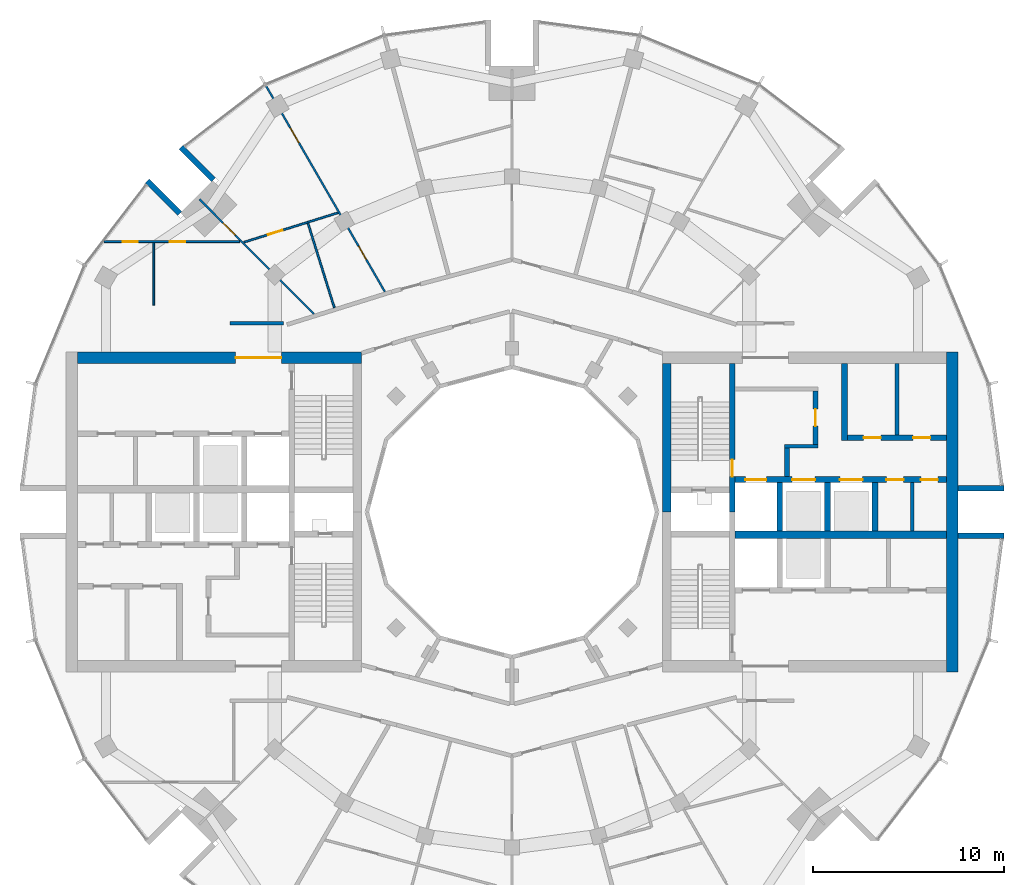
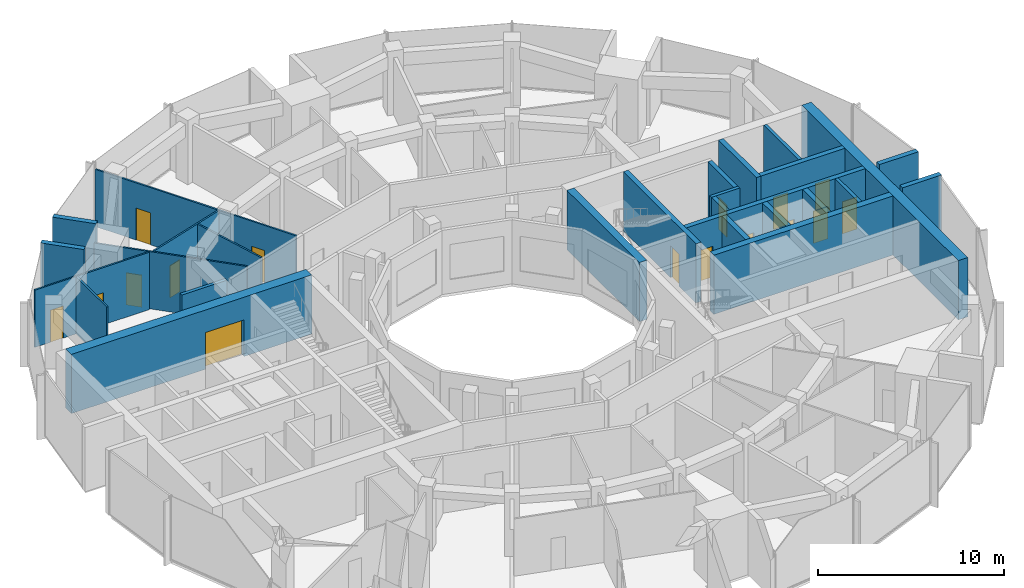
# One storey, part 11 of 15: 27 walls, 16 doors, 16 openings.
"""IFC4 building model written with IfcOpenShell, lengths in metres."""

from ifc_helpers import new_model, si_unit, direction, frame, frame_2d, origin, place, context, subcontext, project, spatial, rectangle, extrude, material, layer, layer_set, type_object, element, fill, save


model = new_model("IFC4")

# Units and contexts
model_context = context("Model", 3, precision=1e-05, world=origin(), true_north=direction((0.0, 1.0)))
body_context = subcontext(model_context, "Body", "Model", "MODEL_VIEW")
ifc_project = project(units=[si_unit("LENGTHUNIT", "METRE"), si_unit("AREAUNIT", "SQUARE_METRE"), si_unit("VOLUMEUNIT", "CUBIC_METRE"), si_unit("PLANEANGLEUNIT", "RADIAN"), si_unit("MASSUNIT", "GRAM", prefix="KILO")], contexts=[model_context])

# Site, building, storey
site_placement = place(None, origin())
site = spatial("IfcSite", under=ifc_project, at=site_placement, CompositionType="ELEMENT")
building_placement = place(site_placement, origin())
building = spatial("IfcBuilding", under=site, at=building_placement, Name="Torre Brocal", CompositionType="ELEMENT")
storey_placement = place(building_placement, frame((0.0, 0.0, 237.300048828125)))
storey = spatial("IfcBuildingStorey", under=building, at=storey_placement, Name="L54", CompositionType="ELEMENT", Elevation=237.300048828125)

# Walls
ifc_material_1 = material(Name="Masonry block", Category="masonry")
ifc_layer_1 = layer(ifc_material_1, 0.199951171875)
ifc_layer_set_1 = layer_set([ifc_layer_1], Name="Masonry block")
wall_type_1 = type_object("IfcWallType", Name="CORE PARTITION 200", PredefinedType="PARTITIONING", material=ifc_layer_set_1)
wall_1_placement = place(storey_placement, frame((101.0, 74.0, 0.0), z_axis=(0.0, 0.0, 1.0), x_axis=(0.0, 1.0, 0.0)))
element("IfcWall", 1, at=wall_1_placement, inside=storey, type_object=wall_type_1, Name="Wall CP200", PredefinedType="PARTITIONING", context=body_context, shape_type="SweptSolid", body=[
    extrude(rectangle(XDim=2.550048828125, YDim=0.199951171875, at=frame_2d((1.27490234375, 0.0))), origin(), (0.0, 0.0, 1.0), 3.8798828125),
])
wall_2_placement = place(storey_placement, frame((100.199951171875, 79.050048828125, 0.0), z_axis=(0.0, 0.0, 1.0), x_axis=(0.0, 1.0, 0.0)))
element("IfcWall", 2, at=wall_2_placement, inside=storey, type_object=wall_type_1, Name="Wall CP200", PredefinedType="PARTITIONING", context=body_context, shape_type="SweptSolid", body=[
    extrude(rectangle(XDim=3.75, YDim=0.199951171875, at=frame_2d((1.875, 0.0))), origin(), (0.0, 0.0, 1.0), 3.8798828125),
])
ifc_material_2 = material(Name="Concrete C60", Category="concrete")
ifc_layer_2 = layer(ifc_material_2, 0.199951171875)
ifc_layer_set_2 = layer_set([ifc_layer_2], Name="Concrete C60")
wall_type_2 = type_object("IfcWallType", Name="CORE WALL 200 C60", PredefinedType="SHEAR", material=ifc_layer_set_2)
wall_3_placement = place(storey_placement, frame((94.300048828125, 78.449951171875, 0.0), z_axis=(0.0, 0.0, 1.0), x_axis=(1.0, 0.0, 0.0)))
element("IfcWall", 3, at=wall_3_placement, inside=storey, type_object=wall_type_2, Name="Wall CW200-60", PredefinedType="SHEAR", context=body_context, shape_type="SweptSolid", body=[
    extrude(rectangle(XDim=1.75, YDim=0.199951171875, at=frame_2d((0.875, 0.0))), origin(), (0.0, 0.0, 1.0), 3.8798828125),
])

# Wall, opening, door
ifc_material_3 = material(Name="Concrete C60", Category="concrete")
ifc_layer_3 = layer(ifc_material_3, 0.25)
ifc_layer_set_3 = layer_set([ifc_layer_3], Name="Concrete C60")
wall_type_3 = type_object("IfcWallType", Name="CORE WALL 250 C60", PredefinedType="SHEAR", material=ifc_layer_set_3)
wall_4_placement = place(storey_placement, frame((95.925048828125, 78.550048828125, 0.0), z_axis=(0.0, 0.0, 1.0), x_axis=(0.0, 1.0, 0.0)))
wall_4 = element("IfcWall", 4, at=wall_4_placement, inside=storey, type_object=wall_type_3, Name="Wall CW250-60", PredefinedType="SHEAR", context=body_context, shape_type="SweptSolid", body=[
    extrude(rectangle(XDim=2.800048828125, YDim=0.25, at=frame_2d((1.39990234375, 0.0))), origin(), (0.0, 0.0, 1.0), 3.8798828125),
])
opening_1_placement = place(wall_4_placement, frame((0.949951171875, 0.0, 0.0)))
opening_1 = element("IfcOpeningElement", 5, at=opening_1_placement, cuts=wall_4, Name="Opening E-D08", PredefinedType="OPENING", context=body_context, shape_type="SweptSolid", body=[
    extrude(rectangle(XDim=0.89990234375, YDim=2.10009765625, at=frame_2d((0.449951171875, 1.050048828125))), frame((0.0, 0.135009765625, 0.0), z_axis=(0.0, -1.0, 0.0), x_axis=(1.0, 0.0, 0.0)), (0.0, 0.0, 1.0), 0.27001953125),
])
ifc_material_4 = material(Name="Steel A653", Category="steel")
door_type_1 = type_object("IfcDoorType", Name="LOBBY DOOR FD120 900X2100", OperationType="SINGLE_SWING_RIGHT", PredefinedType="DOOR", material=ifc_material_4)
door_1_placement = place(opening_1_placement, origin())
door_1 = element("IfcDoor", 6, at=door_1_placement, inside=storey, type_object=door_type_1, Name="Door E-D08", OperationType="SINGLE_SWING_LEFT", OverallHeight=2.10009765625, OverallWidth=0.89990234375, PredefinedType="DOOR", context=body_context, shape_type="SweptSolid", body=[
    extrude(rectangle(XDim=0.89990234375, YDim=2.10009765625, at=frame_2d((0.449951171875, 1.050048828125))), frame((0.0, 0.02490234375, 0.0), z_axis=(0.0, -1.0, 0.0), x_axis=(1.0, 0.0, 0.0)), (0.0, 0.0, 1.0), 0.050048828125),
])
fill(opening_1, door_1)

# Wall
wall_5_placement = place(storey_placement, frame((94.425048828125, 76.85009765625, 0.0), z_axis=(0.0, 0.0, 1.0), x_axis=(0.0, 1.0, 0.0)))
element("IfcWall", 7, at=wall_5_placement, inside=storey, type_object=wall_type_3, Name="Wall CW250-60", PredefinedType="SHEAR", context=body_context, shape_type="SweptSolid", body=[
    extrude(rectangle(XDim=1.5, YDim=0.25, at=frame_2d((0.75, 0.0))), origin(), (0.0, 0.0, 1.0), 3.8798828125),
])

# Wall, opening, door
ifc_material_5 = material(Name="Concrete C60", Category="concrete")
ifc_layer_4 = layer(ifc_material_5, 0.300048828125)
ifc_layer_set_4 = layer_set([ifc_layer_4], Name="Concrete C60")
wall_type_4 = type_object("IfcWallType", Name="CORE WALL 300 C60", PredefinedType="SHEAR", material=ifc_layer_set_4)
wall_6_placement = place(storey_placement, frame((91.550048828125, 75.0, 0.0), z_axis=(0.0, 0.0, 1.0), x_axis=(0.0, 1.0, 0.0)))
wall_6 = element("IfcWall", 8, at=wall_6_placement, inside=storey, type_object=wall_type_4, Name="Wall CW300-60", PredefinedType="SHEAR", context=body_context, shape_type="SweptSolid", body=[
    extrude(rectangle(XDim=7.800048828125, YDim=0.300048828125, at=frame_2d((3.89990234375, 0.0))), origin(), (0.0, 0.0, 1.0), 3.8798828125),
])
opening_2_placement = place(wall_6_placement, frame((1.85009765625, 0.0, 0.0)))
opening_2 = element("IfcOpeningElement", 9, at=opening_2_placement, cuts=wall_6, Name="Opening E-D02", PredefinedType="OPENING", context=body_context, shape_type="SweptSolid", body=[
    extrude(rectangle(XDim=0.89990234375, YDim=2.10009765625, at=frame_2d((0.449951171875, 1.050048828125))), frame((0.0, 0.159912109375, 0.0), z_axis=(0.0, -1.0, 0.0), x_axis=(1.0, 0.0, 0.0)), (0.0, 0.0, 1.0), 0.320068359375),
])
ifc_material_6 = material(Name="Steel A653", Category="steel")
door_type_2 = type_object("IfcDoorType", Name="STAIR DOOR FD120 900X2100", OperationType="SINGLE_SWING_RIGHT", PredefinedType="DOOR", material=ifc_material_6)
door_2_placement = place(opening_2_placement, origin())
door_2 = element("IfcDoor", 10, at=door_2_placement, inside=storey, type_object=door_type_2, Name="Door E-D02", OperationType="SINGLE_SWING_LEFT", OverallHeight=2.10009765625, OverallWidth=0.89990234375, PredefinedType="DOOR", context=body_context, shape_type="SweptSolid", body=[
    extrude(rectangle(XDim=0.89990234375, YDim=2.10009765625, at=frame_2d((0.449951171875, 1.050048828125))), frame((0.0, 0.02490234375, 0.0), z_axis=(0.0, -1.0, 0.0), x_axis=(1.0, 0.0, 0.0)), (0.0, 0.0, 1.0), 0.050048828125),
])
fill(opening_2, door_2)

# Wall, openings, doors
wall_7_placement = place(storey_placement, frame((91.699951171875, 76.699951171875, 0.0), z_axis=(0.0, 0.0, 1.0), x_axis=(1.0, 0.0, 0.0)))
wall_7 = element("IfcWall", 11, at=wall_7_placement, inside=storey, type_object=wall_type_4, Name="Wall CW300-60", PredefinedType="SHEAR", context=body_context, shape_type="SweptSolid", body=[
    extrude(rectangle(XDim=11.10009765625, YDim=0.300048828125, at=frame_2d((5.550048828125, 0.0))), origin(), (0.0, 0.0, 1.0), 3.8798828125),
])
opening_3_placement = place(wall_7_placement, frame((0.550048828125, 0.0, 0.0)))
opening_3 = element("IfcOpeningElement", 12, at=opening_3_placement, cuts=wall_7, Name="Opening LD", PredefinedType="OPENING", context=body_context, shape_type="SweptSolid", body=[
    extrude(rectangle(XDim=1.10009765625, YDim=2.10009765625, at=frame_2d((0.550048828125, 1.050048828125))), frame((0.0, 0.159912109375, 0.0), z_axis=(0.0, -1.0, 0.0), x_axis=(1.0, 0.0, 0.0)), (0.0, 0.0, 1.0), 0.320068359375),
])
opening_4_placement = place(wall_7_placement, frame((3.0, 0.0, 0.0)))
opening_4 = element("IfcOpeningElement", 13, at=opening_4_placement, cuts=wall_7, Name="Opening LD12", PredefinedType="OPENING", context=body_context, shape_type="SweptSolid", body=[
    extrude(rectangle(XDim=1.199951171875, YDim=2.10009765625, at=frame_2d((0.60009765625, 1.050048828125))), frame((0.0, 0.159912109375, 0.0), z_axis=(0.0, -1.0, 0.0), x_axis=(1.0, 0.0, 0.0)), (0.0, 0.0, 1.0), 0.320068359375),
])
opening_5_placement = place(wall_7_placement, frame((5.5, 0.0, 0.0)))
opening_5 = element("IfcOpeningElement", 14, at=opening_5_placement, cuts=wall_7, Name="Opening LD12", PredefinedType="OPENING", context=body_context, shape_type="SweptSolid", body=[
    extrude(rectangle(XDim=1.199951171875, YDim=2.10009765625, at=frame_2d((0.60009765625, 1.050048828125))), frame((0.0, 0.159912109375, 0.0), z_axis=(0.0, -1.0, 0.0), x_axis=(1.0, 0.0, 0.0)), (0.0, 0.0, 1.0), 0.320068359375),
])
opening_6_placement = place(wall_7_placement, frame((7.949951171875, 0.0, 0.0)))
opening_6 = element("IfcOpeningElement", 15, at=opening_6_placement, cuts=wall_7, Name="Opening E-D04", PredefinedType="OPENING", context=body_context, shape_type="SweptSolid", body=[
    extrude(rectangle(XDim=0.89990234375, YDim=2.10009765625, at=frame_2d((0.449951171875, 1.050048828125))), frame((0.0, 0.159912109375, 0.0), z_axis=(0.0, -1.0, 0.0), x_axis=(1.0, 0.0, 0.0)), (0.0, 0.0, 1.0), 0.320068359375),
])
opening_7_placement = place(wall_7_placement, frame((9.75, 0.0, 0.0)))
opening_7 = element("IfcOpeningElement", 16, at=opening_7_placement, cuts=wall_7, Name="Opening E-D05", PredefinedType="OPENING", context=body_context, shape_type="SweptSolid", body=[
    extrude(rectangle(XDim=0.89990234375, YDim=2.10009765625, at=frame_2d((0.449951171875, 1.050048828125))), frame((0.0, 0.159912109375, 0.0), z_axis=(0.0, -1.0, 0.0), x_axis=(1.0, 0.0, 0.0)), (0.0, 0.0, 1.0), 0.320068359375),
])
ifc_material_7 = material(Name="Stainless steel AISI 316", Category="steel")
door_type_3 = type_object("IfcDoorType", Name="LIFT LANDING DOOR 1100X2100", OperationType="DOUBLE_DOOR_SLIDING", PredefinedType="DOOR", material=ifc_material_7)
door_3_placement = place(opening_3_placement, origin())
door_3 = element("IfcDoor", 17, at=door_3_placement, inside=storey, type_object=door_type_3, Name="Door LD", OperationType="DOUBLE_DOOR_SLIDING", OverallHeight=2.10009765625, OverallWidth=1.10009765625, PredefinedType="DOOR", context=body_context, shape_type="SweptSolid", body=[
    extrude(rectangle(XDim=1.10009765625, YDim=2.10009765625, at=frame_2d((0.550048828125, 1.050048828125))), frame((0.0, 0.02490234375, 0.0), z_axis=(0.0, -1.0, 0.0), x_axis=(1.0, 0.0, 0.0)), (0.0, 0.0, 1.0), 0.050048828125),
])
fill(opening_3, door_3)
ifc_material_8 = material(Name="Stainless steel AISI 316", Category="steel")
door_type_4 = type_object("IfcDoorType", Name="LIFT LANDING DOOR 1200X2100", OperationType="DOUBLE_DOOR_SLIDING", PredefinedType="DOOR", material=ifc_material_8)
door_4_placement = place(opening_4_placement, origin())
door_4 = element("IfcDoor", 18, at=door_4_placement, inside=storey, type_object=door_type_4, Name="Door LD12", OperationType="DOUBLE_DOOR_SLIDING", OverallHeight=2.10009765625, OverallWidth=1.199951171875, PredefinedType="DOOR", context=body_context, shape_type="SweptSolid", body=[
    extrude(rectangle(XDim=1.199951171875, YDim=2.10009765625, at=frame_2d((0.60009765625, 1.050048828125))), frame((0.0, 0.02490234375, 0.0), z_axis=(0.0, -1.0, 0.0), x_axis=(1.0, 0.0, 0.0)), (0.0, 0.0, 1.0), 0.050048828125),
])
fill(opening_4, door_4)
door_5_placement = place(opening_5_placement, origin())
door_5 = element("IfcDoor", 19, at=door_5_placement, inside=storey, type_object=door_type_4, Name="Door LD12", OperationType="DOUBLE_DOOR_SLIDING", OverallHeight=2.10009765625, OverallWidth=1.199951171875, PredefinedType="DOOR", context=body_context, shape_type="SweptSolid", body=[
    extrude(rectangle(XDim=1.199951171875, YDim=2.10009765625, at=frame_2d((0.60009765625, 1.050048828125))), frame((0.0, 0.02490234375, 0.0), z_axis=(0.0, -1.0, 0.0), x_axis=(1.0, 0.0, 0.0)), (0.0, 0.0, 1.0), 0.050048828125),
])
fill(opening_5, door_5)
ifc_material_9 = material(Name="Steel A653", Category="steel")
door_type_5 = type_object("IfcDoorType", Name="ROOM DOOR FD30S 900X2100", OperationType="SINGLE_SWING_LEFT", PredefinedType="DOOR", material=ifc_material_9)
door_6_placement = place(opening_6_placement, frame((0.89990234375, 0.0, 0.0), z_axis=(0.0, 0.0, 1.0), x_axis=(-1.0, 0.0, 0.0)))
door_6 = element("IfcDoor", 20, at=door_6_placement, inside=storey, type_object=door_type_5, Name="Door E-D04", OperationType="SINGLE_SWING_LEFT", OverallHeight=2.10009765625, OverallWidth=0.89990234375, PredefinedType="DOOR", context=body_context, shape_type="SweptSolid", body=[
    extrude(rectangle(XDim=0.89990234375, YDim=2.10009765625, at=frame_2d((0.449951171875, 1.050048828125))), frame((0.0, 0.02490234375, 0.0), z_axis=(0.0, -1.0, 0.0), x_axis=(1.0, 0.0, 0.0)), (0.0, 0.0, 1.0), 0.050048828125),
])
fill(opening_6, door_6)
door_7_placement = place(opening_7_placement, frame((0.89990234375, 0.0, 0.0), z_axis=(0.0, 0.0, 1.0), x_axis=(-1.0, 0.0, 0.0)))
door_7 = element("IfcDoor", 21, at=door_7_placement, inside=storey, type_object=door_type_5, Name="Door E-D05", OperationType="SINGLE_SWING_RIGHT", OverallHeight=2.10009765625, OverallWidth=0.89990234375, PredefinedType="DOOR", context=body_context, shape_type="SweptSolid", body=[
    extrude(rectangle(XDim=0.89990234375, YDim=2.10009765625, at=frame_2d((0.449951171875, 1.050048828125))), frame((0.0, 0.02490234375, 0.0), z_axis=(0.0, -1.0, 0.0), x_axis=(1.0, 0.0, 0.0)), (0.0, 0.0, 1.0), 0.050048828125),
])
fill(opening_7, door_7)

# Walls
for number, where, z_axis, x_axis, name in (
    (22, (94.050048828125, 74.0, 0.0), (0.0, 0.0, 1.0), (0.0, 1.0, 0.0), "Wall CW300-60"),
    (23, (96.550048828125, 74.0, 0.0), (0.0, 0.0, 1.0), (0.0, 1.0, 0.0), "Wall CW300-60"),
    (24, (99.050048828125, 74.0, 0.0), (0.0, 0.0, 1.0), (0.0, 1.0, 0.0), "Wall CW300-60"),
):
    element("IfcWall", number, at=place(storey_placement, frame(where, z_axis=z_axis, x_axis=x_axis)), inside=storey, type_object=wall_type_4, Name=name, PredefinedType="SHEAR", context=body_context, shape_type="SweptSolid", body=[
        extrude(rectangle(XDim=2.550048828125, YDim=0.300048828125, at=frame_2d((1.27490234375, 0.0))), origin(), (0.0, 0.0, 1.0), 3.8798828125),
    ])
wall_8_placement = place(storey_placement, frame((97.449951171875, 78.75, 0.0), z_axis=(0.0, 0.0, 1.0), x_axis=(0.0, 1.0, 0.0)))
element("IfcWall", 25, at=wall_8_placement, inside=storey, type_object=wall_type_4, Name="Wall CW300-60", PredefinedType="SHEAR", context=body_context, shape_type="SweptSolid", body=[
    extrude(rectangle(XDim=4.050048828125, YDim=0.300048828125, at=frame_2d((2.02490234375, 0.0))), origin(), (0.0, 0.0, 1.0), 3.8798828125),
])

# Wall, openings, doors
wall_9_placement = place(storey_placement, frame((97.60009765625, 78.89990234375, 0.0), z_axis=(0.0, 0.0, 1.0), x_axis=(1.0, 0.0, 0.0)))
wall_9 = element("IfcWall", 26, at=wall_9_placement, inside=storey, type_object=wall_type_4, Name="Wall CW300-60", PredefinedType="SHEAR", context=body_context, shape_type="SweptSolid", body=[
    extrude(rectangle(XDim=5.199951171875, YDim=0.300048828125, at=frame_2d((2.60009765625, 0.0))), origin(), (0.0, 0.0, 1.0), 3.8798828125),
])
opening_8_placement = place(wall_9_placement, frame((0.85009765625, 0.0, 0.0)))
opening_8 = element("IfcOpeningElement", 27, at=opening_8_placement, cuts=wall_9, Name="Opening E-D09", PredefinedType="OPENING", context=body_context, shape_type="SweptSolid", body=[
    extrude(rectangle(XDim=0.89990234375, YDim=2.10009765625, at=frame_2d((0.449951171875, 1.050048828125))), frame((0.0, 0.159912109375, 0.0), z_axis=(0.0, -1.0, 0.0), x_axis=(1.0, 0.0, 0.0)), (0.0, 0.0, 1.0), 0.320068359375),
])
opening_9_placement = place(wall_9_placement, frame((3.449951171875, 0.0, 0.0)))
opening_9 = element("IfcOpeningElement", 28, at=opening_9_placement, cuts=wall_9, Name="Opening E-D10", PredefinedType="OPENING", context=body_context, shape_type="SweptSolid", body=[
    extrude(rectangle(XDim=0.89990234375, YDim=2.10009765625, at=frame_2d((0.449951171875, 1.050048828125))), frame((0.0, 0.159912109375, 0.0), z_axis=(0.0, -1.0, 0.0), x_axis=(1.0, 0.0, 0.0)), (0.0, 0.0, 1.0), 0.320068359375),
])
door_8_placement = place(opening_8_placement, origin())
door_8 = element("IfcDoor", 29, at=door_8_placement, inside=storey, type_object=door_type_5, Name="Door E-D09", OperationType="SINGLE_SWING_RIGHT", OverallHeight=2.10009765625, OverallWidth=0.89990234375, PredefinedType="DOOR", context=body_context, shape_type="SweptSolid", body=[
    extrude(rectangle(XDim=0.89990234375, YDim=2.10009765625, at=frame_2d((0.449951171875, 1.050048828125))), frame((0.0, 0.02490234375, 0.0), z_axis=(0.0, -1.0, 0.0), x_axis=(1.0, 0.0, 0.0)), (0.0, 0.0, 1.0), 0.050048828125),
])
fill(opening_8, door_8)
door_9_placement = place(opening_9_placement, origin())
door_9 = element("IfcDoor", 30, at=door_9_placement, inside=storey, type_object=door_type_5, Name="Door E-D10", OperationType="SINGLE_SWING_LEFT", OverallHeight=2.10009765625, OverallWidth=0.89990234375, PredefinedType="DOOR", context=body_context, shape_type="SweptSolid", body=[
    extrude(rectangle(XDim=0.89990234375, YDim=2.10009765625, at=frame_2d((0.449951171875, 1.050048828125))), frame((0.0, 0.02490234375, 0.0), z_axis=(0.0, -1.0, 0.0), x_axis=(1.0, 0.0, 0.0)), (0.0, 0.0, 1.0), 0.050048828125),
])
fill(opening_9, door_9)

# Walls
ifc_material_10 = material(Name="Concrete C60", Category="concrete")
ifc_layer_5 = layer(ifc_material_10, 0.39990234375)
ifc_layer_set_5 = layer_set([ifc_layer_5], Name="Concrete C60")
wall_type_5 = type_object("IfcWallType", Name="CORE WALL 400 C60", PredefinedType="SHEAR", material=ifc_layer_set_5)
wall_10_placement = place(storey_placement, frame((91.699951171875, 73.800048828125, 0.0), z_axis=(0.0, 0.0, 1.0), x_axis=(1.0, 0.0, 0.0)))
element("IfcWall", 31, at=wall_10_placement, inside=storey, type_object=wall_type_5, Name="Wall CW400-60", PredefinedType="SHEAR", context=body_context, shape_type="SweptSolid", body=[
    extrude(rectangle(XDim=11.10009765625, YDim=0.39990234375, at=frame_2d((5.550048828125, 0.0))), origin(), (0.0, 0.0, 1.0), 3.8798828125),
])
ifc_material_11 = material(Name="Concrete C60", Category="concrete")
ifc_layer_6 = layer(ifc_material_11, 0.449951171875)
ifc_layer_set_6 = layer_set([ifc_layer_6], Name="Concrete C60")
wall_type_6 = type_object("IfcWallType", Name="CORE WALL 450 C60", PredefinedType="SHEAR", material=ifc_layer_set_6)
wall_11_placement = place(storey_placement, frame((88.125, 75.0, 0.0), z_axis=(0.0, 0.0, 1.0), x_axis=(0.0, 1.0, 0.0)))
element("IfcWall", 32, at=wall_11_placement, inside=storey, type_object=wall_type_6, Name="Wall CW450-60", PredefinedType="SHEAR", context=body_context, shape_type="SweptSolid", body=[
    extrude(rectangle(XDim=7.800048828125, YDim=0.449951171875, at=frame_2d((3.89990234375, 0.0))), origin(), (0.0, 0.0, 1.0), 3.8798828125),
])
ifc_material_12 = material(Name="Concrete C60", Category="concrete")
ifc_layer_7 = layer(ifc_material_12, 0.60009765625)
ifc_layer_set_7 = layer_set([ifc_layer_7], Name="Concrete C60")
wall_type_7 = type_object("IfcWallType", Name="CORE WALL 600 C60", PredefinedType="SHEAR", material=ifc_layer_set_7)
wall_12_placement = place(storey_placement, frame((103.10009765625, 66.60009765625, 0.0), z_axis=(0.0, 0.0, 1.0), x_axis=(0.0, 1.0, 0.0)))
element("IfcWall", 33, at=wall_12_placement, inside=storey, type_object=wall_type_7, Name="Wall CW600-60", PredefinedType="SHEAR", context=body_context, shape_type="SweptSolid", body=[
    extrude(rectangle(XDim=16.7998046875, YDim=0.60009765625, at=frame_2d((8.39990234375, 0.0))), origin(), (0.0, 0.0, 1.0), 3.8798828125),
])

# Wall, opening, door
wall_13_placement = place(storey_placement, frame((72.10009765625, 83.10009765625, 0.0), z_axis=(0.0, 0.0, 1.0), x_axis=(-1.0, 0.0, 0.0)))
wall_13 = element("IfcWall", 34, at=wall_13_placement, inside=storey, type_object=wall_type_7, Name="Wall CW600-60", PredefinedType="SHEAR", context=body_context, shape_type="SweptSolid", body=[
    extrude(rectangle(XDim=14.900146484375, YDim=0.60009765625, at=frame_2d((7.4501953125, 0.0))), origin(), (0.0, 0.0, 1.0), 3.8798828125),
])
opening_10_placement = place(wall_13_placement, frame((4.199951171875, 0.0, 0.0)))
opening_10 = element("IfcOpeningElement", 35, at=opening_10_placement, cuts=wall_13, Name="Opening W-D12", PredefinedType="OPENING", context=body_context, shape_type="SweptSolid", body=[
    extrude(rectangle(XDim=2.39990234375, YDim=2.39990234375, at=frame_2d((1.199951171875, 1.199951171875))), frame((0.0, 0.31005859375, 0.0), z_axis=(0.0, -1.0, 0.0), x_axis=(1.0, 0.0, 0.0)), (0.0, 0.0, 1.0), 0.6201171875),
])
ifc_material_13 = material(Name="Steel A653", Category="steel")
door_type_6 = type_object("IfcDoorType", Name="DOUBLE FIRE DOOR FD90 2400X2400", OperationType="DOUBLE_DOOR_SINGLE_SWING", PredefinedType="DOOR", material=ifc_material_13)
door_10_placement = place(opening_10_placement, origin())
door_10 = element("IfcDoor", 36, at=door_10_placement, inside=storey, type_object=door_type_6, Name="Door W-D12", OperationType="DOUBLE_DOOR_SINGLE_SWING", OverallHeight=2.39990234375, OverallWidth=2.39990234375, PredefinedType="DOOR", context=body_context, shape_type="SweptSolid", body=[
    extrude(rectangle(XDim=2.39990234375, YDim=2.39990234375, at=frame_2d((1.199951171875, 1.199951171875))), frame((0.0, 0.02490234375, 0.0), z_axis=(0.0, -1.0, 0.0), x_axis=(1.0, 0.0, 0.0)), (0.0, 0.0, 1.0), 0.050048828125),
])
fill(opening_10, door_10)

# Walls
ifc_material_14 = material(Name="Concrete C60", Category="concrete")
ifc_layer_8 = layer(ifc_material_14, 0.300048828125)
ifc_layer_set_8 = layer_set([ifc_layer_8], Name="Concrete C60")
wall_type_8 = type_object("IfcWallType", Name="NOTCH RETURN WALL 300 C60", PredefinedType="NOTDEFINED", material=ifc_layer_set_8)
for number, where, z_axis, x_axis, name in (
    (37, (103.39990234375, 73.75, 0.0), (0.0, 0.0, 1.0), (1.0, 0.0, 0.0), "NOTCH RETURN WALL"),
    (38, (103.39990234375, 76.25, 0.0), (0.0, 0.0, 1.0), (1.0, 0.0, 0.0), "NOTCH RETURN WALL"),
    (39, (64.337646484375, 92.43017578125, 0.0), (0.0, 0.0, 1.0), (-0.707106781187, 0.707106781187, 0.0), "NOTCH RETURN WALL"),
    (40, (62.56982421875, 90.662353515625, 0.0), (0.0, 0.0, 1.0), (-0.707106781187, 0.707106781187, 0.0), "NOTCH RETURN WALL"),
):
    element("IfcWall", number, at=place(storey_placement, frame(where, z_axis=z_axis, x_axis=x_axis)), inside=storey, type_object=wall_type_8, Name=name, PredefinedType="NOTDEFINED", context=body_context, shape_type="SweptSolid", body=[
        extrude(rectangle(XDim=2.415771484375, YDim=0.300048828125, at=frame_2d((1.2080078125, 0.0))), origin(), (0.0, 0.0, 1.0), 4.199951171875),
    ])

# Wall, openings, doors
ifc_material_15 = material(Name="Gypsum board", Category="Gypsum")
ifc_layer_9 = layer(ifc_material_15, 0.10009765625)
ifc_layer_set_9 = layer_set([ifc_layer_9], Name="Gypsum board")
wall_type_9 = type_object("IfcWallType", Name="PARTITION 100", PredefinedType="PARTITIONING", material=ifc_layer_set_9)
wall_14_placement = place(storey_placement, frame((58.60009765625, 89.18798828125, 0.0), z_axis=(0.0, 0.0, 1.0), x_axis=(1.0, 0.0, 0.0)))
wall_14 = element("IfcWall", 41, at=wall_14_placement, inside=storey, type_object=wall_type_9, Name="BATHROOM WALL", PredefinedType="PARTITIONING", context=body_context, shape_type="SweptSolid", body=[
    extrude(rectangle(XDim=7.102783203125, YDim=0.10009765625, at=frame_2d((3.55126953125, 0.0))), origin(), (0.0, 0.0, 1.0), 3.75),
])
opening_11_placement = place(wall_14_placement, frame((3.446533203125, 0.0, 0.0)))
opening_11 = element("IfcOpeningElement", 42, at=opening_11_placement, cuts=wall_14, Name="Opening B03-D15", PredefinedType="OPENING", context=body_context, shape_type="SweptSolid", body=[
    extrude(rectangle(XDim=0.800048828125, YDim=2.10009765625, at=frame_2d((0.39990234375, 1.050048828125))), frame((0.0, 0.06005859375, 0.0), z_axis=(0.0, -1.0, 0.0), x_axis=(1.0, 0.0, 0.0)), (0.0, 0.0, 1.0), 0.1201171875),
])
opening_12_placement = place(wall_14_placement, frame((0.965087890625, 0.0, 0.0)))
opening_12 = element("IfcOpeningElement", 43, at=opening_12_placement, cuts=wall_14, Name="Opening B03-D16", PredefinedType="OPENING", context=body_context, shape_type="SweptSolid", body=[
    extrude(rectangle(XDim=0.800048828125, YDim=2.10009765625, at=frame_2d((0.39990234375, 1.050048828125))), frame((0.0, 0.06005859375, 0.0), z_axis=(0.0, -1.0, 0.0), x_axis=(1.0, 0.0, 0.0)), (0.0, 0.0, 1.0), 0.1201171875),
])
ifc_material_16 = material(Name="Timber", Category="wood")
door_type_7 = type_object("IfcDoorType", Name="BATHROOM DOOR 800X2100", OperationType="SINGLE_SWING_LEFT", PredefinedType="DOOR", material=ifc_material_16)
door_11_placement = place(opening_11_placement, frame((0.800048828125, 0.0, 0.0), z_axis=(0.0, 0.0, 1.0), x_axis=(-1.0, 0.0, 0.0)))
door_11 = element("IfcDoor", 44, at=door_11_placement, inside=storey, type_object=door_type_7, Name="B03-D15", OperationType="SINGLE_SWING_RIGHT", OverallHeight=2.10009765625, OverallWidth=0.800048828125, PredefinedType="DOOR", context=body_context, shape_type="SweptSolid", body=[
    extrude(rectangle(XDim=0.800048828125, YDim=2.10009765625, at=frame_2d((0.39990234375, 1.050048828125))), frame((0.0, 0.02490234375, 0.0), z_axis=(0.0, -1.0, 0.0), x_axis=(1.0, 0.0, 0.0)), (0.0, 0.0, 1.0), 0.050048828125),
])
fill(opening_11, door_11)
door_12_placement = place(opening_12_placement, origin())
door_12 = element("IfcDoor", 45, at=door_12_placement, inside=storey, type_object=door_type_7, Name="B03-D16", OperationType="SINGLE_SWING_LEFT", OverallHeight=2.10009765625, OverallWidth=0.800048828125, PredefinedType="DOOR", context=body_context, shape_type="SweptSolid", body=[
    extrude(rectangle(XDim=0.800048828125, YDim=2.10009765625, at=frame_2d((0.39990234375, 1.050048828125))), frame((0.0, 0.02490234375, 0.0), z_axis=(0.0, -1.0, 0.0), x_axis=(1.0, 0.0, 0.0)), (0.0, 0.0, 1.0), 0.050048828125),
])
fill(opening_12, door_12)

# Wall
wall_15_placement = place(storey_placement, frame((61.199951171875, 85.85498046875, 0.0), z_axis=(0.0, 0.0, 1.0), x_axis=(0.0, 1.0, 0.0)))
element("IfcWall", 46, at=wall_15_placement, inside=storey, type_object=wall_type_9, Name="BATHROOM WALL", PredefinedType="PARTITIONING", context=body_context, shape_type="SweptSolid", body=[
    extrude(rectangle(XDim=3.282958984375, YDim=0.10009765625, at=frame_2d((1.6416015625, 0.0))), origin(), (0.0, 0.0, 1.0), 3.75),
])

# Wall, opening, door
wall_16_placement = place(storey_placement, frame((63.599365234375, 91.408935546875, 0.0), z_axis=(0.0, 0.0, 1.0), x_axis=(0.706948776529, -0.707264750546, 0.0)))
wall_16 = element("IfcWall", 47, at=wall_16_placement, inside=storey, type_object=wall_type_9, Name="BATHROOM WALL", PredefinedType="PARTITIONING", context=body_context, shape_type="SweptSolid", body=[
    extrude(rectangle(XDim=8.499267578125, YDim=0.10009765625, at=frame_2d((4.24951171875, 0.0))), origin(), (0.0, 0.0, 1.0), 3.75),
])
opening_13_placement = place(wall_16_placement, frame((1.752685546875, 0.0, 0.0)))
opening_13 = element("IfcOpeningElement", 48, at=opening_13_placement, cuts=wall_16, Name="Opening B03-D14", PredefinedType="OPENING", context=body_context, shape_type="SweptSolid", body=[
    extrude(rectangle(XDim=0.89990234375, YDim=2.10009765625, at=frame_2d((0.449951171875, 1.050048828125))), frame((0.0, 0.06005859375, 0.0), z_axis=(0.0, -1.0, 0.0), x_axis=(1.0, 0.0, 0.0)), (0.0, 0.0, 1.0), 0.1201171875),
])
ifc_material_17 = material(Name="Timber", Category="wood")
door_type_8 = type_object("IfcDoorType", Name="ROOM DOOR 900X2100", OperationType="SINGLE_SWING_LEFT", PredefinedType="DOOR", material=ifc_material_17)
door_13_placement = place(opening_13_placement, frame((0.89990234375, 0.0, 0.0), z_axis=(0.0, 0.0, 1.0), x_axis=(-1.0, 0.0, 0.0)))
door_13 = element("IfcDoor", 49, at=door_13_placement, inside=storey, type_object=door_type_8, Name="B03-D14", OperationType="SINGLE_SWING_RIGHT", OverallHeight=2.10009765625, OverallWidth=0.89990234375, PredefinedType="DOOR", context=body_context, shape_type="SweptSolid", body=[
    extrude(rectangle(XDim=0.89990234375, YDim=2.10009765625, at=frame_2d((0.449951171875, 1.050048828125))), frame((0.0, 0.02490234375, 0.0), z_axis=(0.0, -1.0, 0.0), x_axis=(1.0, 0.0, 0.0)), (0.0, 0.0, 1.0), 0.050048828125),
])
fill(opening_13, door_13)

wall_17_placement = place(storey_placement, frame((65.9443359375, 89.156982421875, 0.0), z_axis=(0.0, 0.0, 1.0), x_axis=(0.954248987961, 0.299013158531, 0.0)))
wall_17 = element("IfcWall", 50, at=wall_17_placement, inside=storey, type_object=wall_type_9, Name="BATHROOM WALL", PredefinedType="PARTITIONING", context=body_context, shape_type="SweptSolid", body=[
    extrude(rectangle(XDim=5.159423828125, YDim=0.10009765625, at=frame_2d((2.57958984375, 0.0))), origin(), (0.0, 0.0, 1.0), 3.75),
])
opening_14_placement = place(wall_17_placement, frame((1.315673828125, 0.0, 0.0)))
opening_14 = element("IfcOpeningElement", 51, at=opening_14_placement, cuts=wall_17, Name="Opening B03-D12", PredefinedType="OPENING", context=body_context, shape_type="SweptSolid", body=[
    extrude(rectangle(XDim=0.800048828125, YDim=2.10009765625, at=frame_2d((0.39990234375, 1.050048828125))), frame((0.0, 0.06005859375, 0.0), z_axis=(0.0, -1.0, 0.0), x_axis=(1.0, 0.0, 0.0)), (0.0, 0.0, 1.0), 0.1201171875),
])
door_14_placement = place(opening_14_placement, frame((0.800048828125, 0.0, 0.0), z_axis=(0.0, 0.0, 1.0), x_axis=(-1.0, 0.0, 0.0)))
door_14 = element("IfcDoor", 52, at=door_14_placement, inside=storey, type_object=door_type_7, Name="B03-D12", OperationType="SINGLE_SWING_RIGHT", OverallHeight=2.10009765625, OverallWidth=0.800048828125, PredefinedType="DOOR", context=body_context, shape_type="SweptSolid", body=[
    extrude(rectangle(XDim=0.800048828125, YDim=2.10009765625, at=frame_2d((0.39990234375, 1.050048828125))), frame((0.0, 0.02490234375, 0.0), z_axis=(0.0, -1.0, 0.0), x_axis=(1.0, 0.0, 0.0)), (0.0, 0.0, 1.0), 0.050048828125),
])
fill(opening_14, door_14)

# Wall, openings, doors
wall_18_placement = place(storey_placement, frame((67.103515625, 97.3427734375, 0.0), z_axis=(0.0, 0.0, 1.0), x_axis=(0.499891560959, -0.866088002043, 0.0)))
wall_18 = element("IfcWall", 53, at=wall_18_placement, inside=storey, type_object=wall_type_9, Name="BATHROOM WALL", PredefinedType="PARTITIONING", context=body_context, shape_type="SweptSolid", body=[
    extrude(rectangle(XDim=12.455810546875, YDim=0.10009765625, at=frame_2d((6.22802734375, 0.0))), origin(), (0.0, 0.0, 1.0), 3.75),
])
opening_15_placement = place(wall_18_placement, frame((2.5380859375, 0.0, 0.0)))
opening_15 = element("IfcOpeningElement", 54, at=opening_15_placement, cuts=wall_18, Name="Opening B03-D11", PredefinedType="OPENING", context=body_context, shape_type="SweptSolid", body=[
    extrude(rectangle(XDim=0.89990234375, YDim=2.10009765625, at=frame_2d((0.449951171875, 1.050048828125))), frame((0.0, 0.06005859375, 0.0), z_axis=(0.0, -1.0, 0.0), x_axis=(1.0, 0.0, 0.0)), (0.0, 0.0, 1.0), 0.1201171875),
])
opening_16_placement = place(wall_18_placement, frame((9.696533203125, 0.0, 0.0)))
opening_16 = element("IfcOpeningElement", 55, at=opening_16_placement, cuts=wall_18, Name="Opening B03-D13", PredefinedType="OPENING", context=body_context, shape_type="SweptSolid", body=[
    extrude(rectangle(XDim=0.800048828125, YDim=2.10009765625, at=frame_2d((0.39990234375, 1.050048828125))), frame((0.0, 0.06005859375, 0.0), z_axis=(0.0, -1.0, 0.0), x_axis=(1.0, 0.0, 0.0)), (0.0, 0.0, 1.0), 0.1201171875),
])
door_15_placement = place(opening_16_placement, frame((0.800048828125, 0.0, 0.0), z_axis=(0.0, 0.0, 1.0), x_axis=(-1.0, 0.0, 0.0)))
door_15 = element("IfcDoor", 56, at=door_15_placement, inside=storey, type_object=door_type_7, Name="B03-D13", OperationType="SINGLE_SWING_LEFT", OverallHeight=2.10009765625, OverallWidth=0.800048828125, PredefinedType="DOOR", context=body_context, shape_type="SweptSolid", body=[
    extrude(rectangle(XDim=0.800048828125, YDim=2.10009765625, at=frame_2d((0.39990234375, 1.050048828125))), frame((0.0, 0.02490234375, 0.0), z_axis=(0.0, -1.0, 0.0), x_axis=(1.0, 0.0, 0.0)), (0.0, 0.0, 1.0), 0.050048828125),
])
fill(opening_16, door_15)
door_16_placement = place(opening_15_placement, frame((0.89990234375, 0.0, 0.0), z_axis=(0.0, 0.0, 1.0), x_axis=(-1.0, 0.0, 0.0)))
door_16 = element("IfcDoor", 57, at=door_16_placement, inside=storey, type_object=door_type_8, Name="B03-D11", OperationType="SINGLE_SWING_RIGHT", OverallHeight=2.10009765625, OverallWidth=0.89990234375, PredefinedType="DOOR", context=body_context, shape_type="SweptSolid", body=[
    extrude(rectangle(XDim=0.89990234375, YDim=2.10009765625, at=frame_2d((0.449951171875, 1.050048828125))), frame((0.0, 0.02490234375, 0.0), z_axis=(0.0, -1.0, 0.0), x_axis=(1.0, 0.0, 0.0)), (0.0, 0.0, 1.0), 0.050048828125),
])
fill(opening_15, door_16)

# Walls
wall_19_placement = place(storey_placement, frame((69.291015625, 90.1533203125, 0.0), z_axis=(0.0, 0.0, 1.0), x_axis=(0.299165743488, -0.954201162189, 0.0)))
element("IfcWall", 58, at=wall_19_placement, inside=storey, type_object=wall_type_9, Name="BATHROOM WALL", PredefinedType="PARTITIONING", context=body_context, shape_type="SweptSolid", body=[
    extrude(rectangle(XDim=4.64990234375, YDim=0.10009765625, at=frame_2d((2.324951171875, 0.0))), origin(), (0.0, 0.0, 1.0), 3.75),
])
ifc_material_18 = material(Name="Gypsum board", Category="Gypsum")
ifc_layer_10 = layer(ifc_material_18, 0.199951171875)
ifc_layer_set_10 = layer_set([ifc_layer_10], Name="Gypsum board")
wall_type_10 = type_object("IfcWallType", Name="PARTITION 200 EI60", PredefinedType="PARTITIONING", material=ifc_layer_set_10)
wall_20_placement = place(storey_placement, frame((65.199951171875, 84.89990234375, 0.0), z_axis=(0.0, 0.0, 1.0), x_axis=(1.0, 0.0, 0.0)))
element("IfcWall", 59, at=wall_20_placement, inside=storey, type_object=wall_type_10, Name="GUESTROOM CORRIDOR WALL", PredefinedType="PARTITIONING", context=body_context, shape_type="SweptSolid", body=[
    extrude(rectangle(XDim=2.800048828125, YDim=0.199951171875, at=frame_2d((1.39990234375, 0.0))), origin(), (0.0, 0.0, 1.0), 3.75),
])

save(model, "model.ifc")
